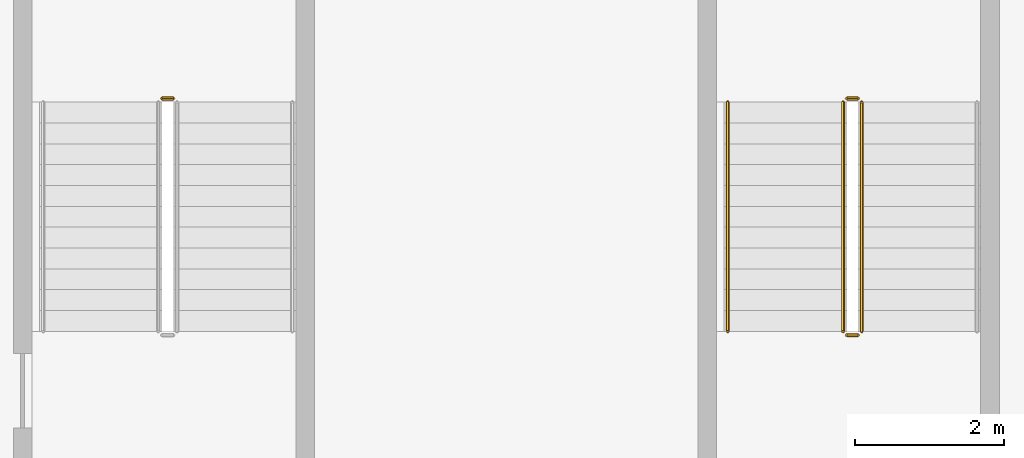
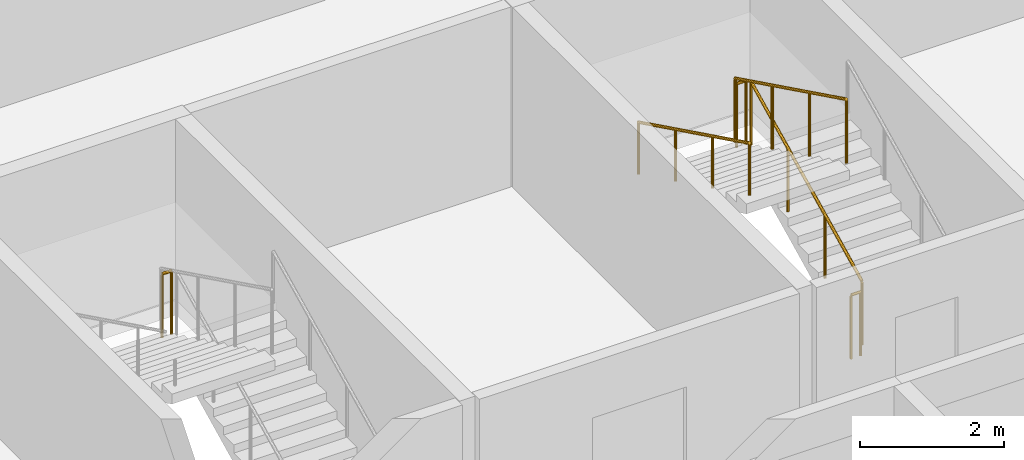
# One storey, part 9 of 18: 6 railings.
"""IFC4 building model written with IfcOpenShell, lengths in metres."""

from ifc_helpers import new_model, si_unit, direction, frame, origin, origin_2d, place, context, subcontext, project, spatial, circle, extrude, material, type_object, element, save


model = new_model("IFC4")

# Units and contexts
model_context = context("Model", 3, precision=1e-05, world=origin(), true_north=direction((0.0, 1.0)))
body_context = subcontext(model_context, "Body", "Model", "MODEL_VIEW")
ifc_project = project(units=[si_unit("LENGTHUNIT", "METRE"), si_unit("AREAUNIT", "SQUARE_METRE"), si_unit("VOLUMEUNIT", "CUBIC_METRE"), si_unit("PLANEANGLEUNIT", "RADIAN"), si_unit("MASSUNIT", "GRAM", prefix="KILO")], contexts=[model_context])

# Site, building, storey
site_placement = place(None, origin())
site = spatial("IfcSite", under=ifc_project, at=site_placement, CompositionType="ELEMENT")
building_placement = place(site_placement, origin())
building = spatial("IfcBuilding", under=site, at=building_placement, Name="Poui Terraces", CompositionType="ELEMENT")
storey_placement = place(building_placement, frame((0.0, 0.0, 279.0)))
storey = spatial("IfcBuildingStorey", under=building, at=storey_placement, Name="L77 CROWN", CompositionType="ELEMENT", Elevation=279.0)

# Railings
ifc_material_1 = material(Name="Galvanised steel balustrade", Category="steel")
railing_type_1 = type_object("IfcRailingType", Name="STAIR GUARD 1100", PredefinedType="GUARDRAIL", material=ifc_material_1)
railing_1_placement = place(storey_placement, frame((32.074951171875, 16.60009765625, 0.137451171875)))
element("IfcRailing", 1, at=railing_1_placement, inside=storey, type_object=railing_type_1, Name="L77 CROWN ST-CW stair guard 1", PredefinedType="GUARDRAIL", context=body_context, shape_type="SweptSolid", body=[
    extrude(circle(Radius=0.02392578125, at=origin_2d()), frame((0.0, 0.0, 1.076171875), z_axis=(0.0, 0.897606190399, 0.440798283751), x_axis=(-1.0, 0.0, 0.0)), (0.0, 0.0, 1.0), 3.43115234375),
    extrude(circle(Radius=0.02099609375, at=origin_2d()), origin(), (0.0, 0.0, 1.0), 1.052001953125),
    extrude(circle(Radius=0.02099609375, at=origin_2d()), frame((0.0, 1.026611328125, 0.504150390625)), (0.0, 0.0, 1.0), 1.052001953125),
    extrude(circle(Radius=0.02099609375, at=origin_2d()), frame((0.0, 2.05322265625, 1.00830078125)), (0.0, 0.0, 1.0), 1.052001953125),
    extrude(circle(Radius=0.02099609375, at=origin_2d()), frame((0.0, 3.079833984375, 1.512451171875)), (0.0, 0.0, 1.0), 1.052001953125),
])
railing_2_placement = place(storey_placement, frame((32.02490234375, 19.72998046875, 1.64990234375)))
element("IfcRailing", 2, at=railing_2_placement, inside=storey, type_object=railing_type_1, Name="L77 CROWN ST-CW stair guard 2", PredefinedType="GUARDRAIL", context=body_context, shape_type="SweptSolid", body=[
    extrude(circle(Radius=0.02392578125, at=origin_2d()), frame((0.0, 0.0, 1.076171875), z_axis=(-1.0, 0.0, 0.0), x_axis=(0.0, -1.0, 0.0)), (0.0, 0.0, 1.0), 0.14990234375),
    extrude(circle(Radius=0.02099609375, at=origin_2d()), origin(), (0.0, 0.0, 1.0), 1.052001953125),
    extrude(circle(Radius=0.02099609375, at=origin_2d()), frame((-0.14990234375, 0.0, 0.0)), (0.0, 0.0, 1.0), 1.052001953125),
])
railing_3_placement = place(storey_placement, frame((31.824951171875, 19.679931640625, 1.78759765625)))
element("IfcRailing", 3, at=railing_3_placement, inside=storey, type_object=railing_type_1, Name="L77 CROWN ST-CW stair guard 3", PredefinedType="GUARDRAIL", context=body_context, shape_type="SweptSolid", body=[
    extrude(circle(Radius=0.02392578125, at=origin_2d()), frame((0.0, 0.0, 1.076171875), z_axis=(0.0, -0.897606190399, 0.440798283751), x_axis=(1.0, 0.0, 0.0)), (0.0, 0.0, 1.0), 3.43115234375),
    extrude(circle(Radius=0.02099609375, at=origin_2d()), origin(), (0.0, 0.0, 1.0), 1.052001953125),
    extrude(circle(Radius=0.02099609375, at=origin_2d()), frame((0.0, -1.026611328125, 0.504150390625)), (0.0, 0.0, 1.0), 1.052001953125),
    extrude(circle(Radius=0.02099609375, at=origin_2d()), frame((0.0, -2.05322265625, 1.00830078125)), (0.0, 0.0, 1.0), 1.052001953125),
    extrude(circle(Radius=0.02099609375, at=origin_2d()), frame((0.0, -3.079833984375, 1.512451171875)), (0.0, 0.0, 1.0), 1.052001953125),
])
for number, where, name in (
    (4, (32.02490234375, 16.550048828125, 0.0), "L77 CROWN ST-CW stair guard 4"),
    (5, (22.824951171875, 19.72998046875, 1.64990234375), "L77 CROWN ST-W stair guard 2"),
):
    element("IfcRailing", number, at=place(storey_placement, frame(where)), inside=storey, type_object=railing_type_1, Name=name, PredefinedType="GUARDRAIL", context=body_context, shape_type="SweptSolid", body=[
        extrude(circle(Radius=0.02392578125, at=origin_2d()), frame((0.0, 0.0, 1.076171875), z_axis=(-1.0, 0.0, 0.0), x_axis=(0.0, -1.0, 0.0)), (0.0, 0.0, 1.0), 0.14990234375),
        extrude(circle(Radius=0.02099609375, at=origin_2d()), origin(), (0.0, 0.0, 1.0), 1.052001953125),
        extrude(circle(Radius=0.02099609375, at=origin_2d()), frame((-0.14990234375, 0.0, 0.0)), (0.0, 0.0, 1.0), 1.052001953125),
    ])
ifc_material_2 = material(Name="Stainless steel handrail", Category="steel")
railing_type_2 = type_object("IfcRailingType", Name="STAIR HANDRAIL 900", PredefinedType="HANDRAIL", material=ifc_material_2)
railing_4_placement = place(storey_placement, frame((30.27490234375, 19.679931640625, 1.78759765625)))
element("IfcRailing", 6, at=railing_4_placement, inside=storey, type_object=railing_type_2, Name="L77 CROWN ST-CW stair handrail 2", PredefinedType="HANDRAIL", context=body_context, shape_type="SweptSolid", body=[
    extrude(circle(Radius=0.02392578125, at=origin_2d()), frame((0.0, 0.0, 0.8759765625), z_axis=(0.0, -0.897606190399, 0.440798283751), x_axis=(1.0, 0.0, 0.0)), (0.0, 0.0, 1.0), 3.43115234375),
    extrude(circle(Radius=0.02099609375, at=origin_2d()), origin(), (0.0, 0.0, 1.0), 0.851806640625),
    extrude(circle(Radius=0.02099609375, at=origin_2d()), frame((0.0, -1.026611328125, 0.504150390625)), (0.0, 0.0, 1.0), 0.851806640625),
    extrude(circle(Radius=0.02099609375, at=origin_2d()), frame((0.0, -2.05322265625, 1.00830078125)), (0.0, 0.0, 1.0), 0.851806640625),
    extrude(circle(Radius=0.02099609375, at=origin_2d()), frame((0.0, -3.079833984375, 1.512451171875)), (0.0, 0.0, 1.0), 0.851806640625),
])

save(model, "model.ifc")
